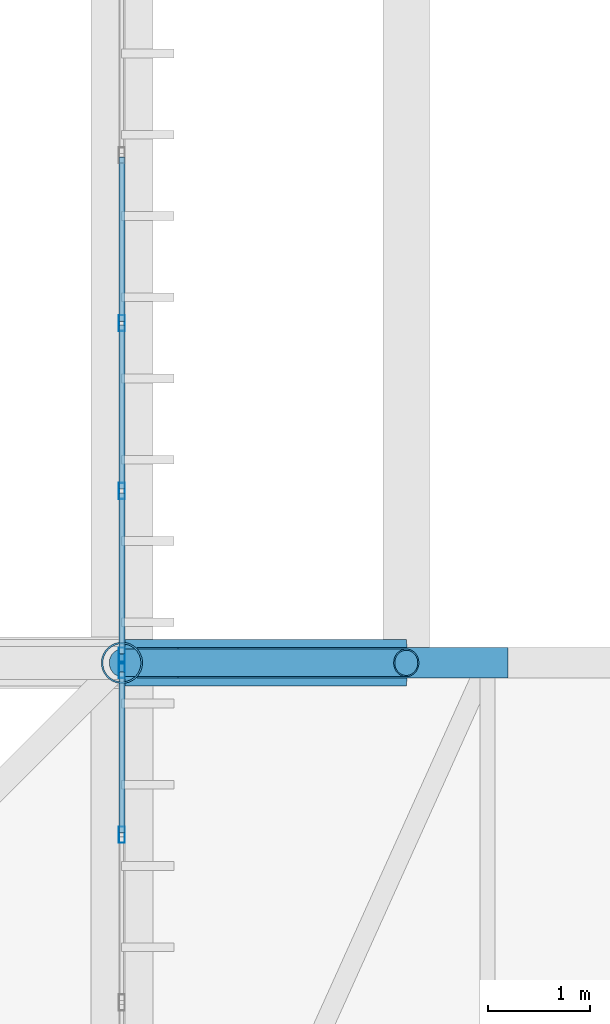
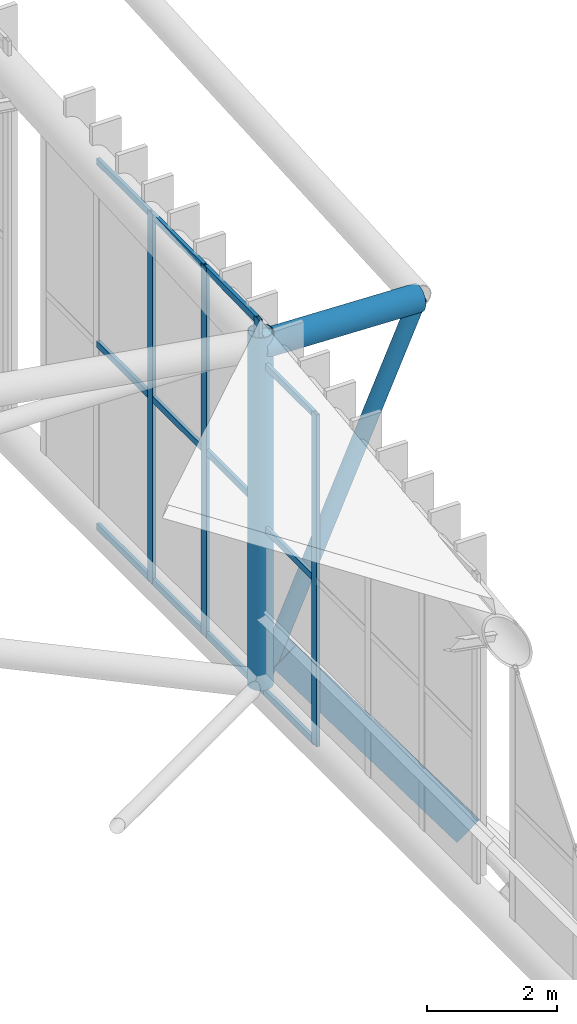
# One storey, part 155 of 397: 19 members, 2 beams, 2 elements without a shape of their own.
"""IFC4 building model written with IfcOpenShell, lengths in metres."""

import ifcopenshell
import ifcopenshell.guid

model = None  # the IFC model being written
_history = None  # IfcOwnerHistory: only IFC2X3 demands one
_inside = {}  # id of a spatial element -> (the spatial element, [elements in it])
_under = {}  # id of a project, library or spatial element -> (it, [spatial elements below it])
_declared = {}  # id of a project -> (the project, [libraries it declares])
_typed = {}  # id of a type object -> (the type object, [elements of that type])
_made_of = {}  # id of a material, layer set ... -> (it, [elements and type objects made of it])


def new_model(schema):
    """Start an empty IFC model of exactly this schema.

    Asked for "IFC4X3", IfcOpenShell would pick the latest addendum, in which some entities
    have other attributes; the version numbers below select the first issue.
    IFC2X3 requires an IfcOwnerHistory on every rooted entity: one is made here for all.
    """
    global model, _history
    if schema == "IFC4X3":
        model = ifcopenshell.file(schema_version=(4, 3, 0, 0))
    else:
        model = ifcopenshell.file(schema=schema)
    _inside.clear()
    _under.clear()
    _declared.clear()
    _typed.clear()
    _made_of.clear()
    _history = None
    if model.schema == "IFC2X3":
        org = make("IfcOrganization", Name="unknown")
        user = make(
            "IfcPersonAndOrganization",
            ThePerson=make("IfcPerson", FamilyName="unknown"),
            TheOrganization=org,
        )
        app = make(
            "IfcApplication",
            ApplicationDeveloper=org,
            Version="unknown",
            ApplicationFullName="unknown",
            ApplicationIdentifier="unknown",
        )
        _history = make(
            "IfcOwnerHistory",
            OwningUser=user,
            OwningApplication=app,
            ChangeAction="ADDED",
            CreationDate=0,
        )
    return model


def make(cls, **values):
    """One entity of the class cls with the attributes given. An attribute that is None is left unset."""
    return model.create_entity(
        cls, **{name: value for name, value in values.items() if value is not None}
    )


def rooted(cls, **values):
    """An entity with a GlobalId (a new one), such as an element, a storey or a relation."""
    return make(cls, GlobalId=ifcopenshell.guid.new(), OwnerHistory=_history, **values)


def si_unit(unit_type, name, prefix=None):
    """IfcSIUnit, for example si_unit("LENGTHUNIT", "METRE", prefix="MILLI")."""
    return make("IfcSIUnit", UnitType=unit_type, Prefix=prefix, Name=name)


def assignment(units):
    """IfcUnitAssignment: the units of a project."""
    return None if units is None else make("IfcUnitAssignment", Units=units)


def point(xyz):
    """IfcCartesianPoint."""
    return None if xyz is None else make("IfcCartesianPoint", Coordinates=xyz)


def direction(xyz):
    """IfcDirection."""
    return None if xyz is None else make("IfcDirection", DirectionRatios=xyz)


def frame(location, z_axis=None, x_axis=None):
    """IfcAxis2Placement3D, a coordinate frame: its origin and axes. An axis left out is left unset."""
    return make(
        "IfcAxis2Placement3D",
        Location=point(location),
        Axis=direction(z_axis),
        RefDirection=direction(x_axis),
    )


def frame_2d(location, x_axis=None):
    """IfcAxis2Placement2D, a coordinate frame in the plane: its origin and x axis."""
    return make(
        "IfcAxis2Placement2D", Location=point(location), RefDirection=direction(x_axis)
    )


def origin():
    """The frame at (0, 0, 0) with its axes left unset."""
    return frame((0.0, 0.0, 0.0))


def origin_2d():
    """The frame at (0, 0) in the plane with its x axis left unset."""
    return frame_2d((0.0, 0.0))


def place(relative_to, where):
    """IfcLocalPlacement: puts the frame where relative to a parent placement (None: the world)."""
    return make(
        "IfcLocalPlacement", PlacementRelTo=relative_to, RelativePlacement=where
    )


def context(
    kind, dimensions, precision=None, world=None, true_north=None, identifier=None
):
    """IfcGeometricRepresentationContext, for example the 3D "Model" context."""
    return make(
        "IfcGeometricRepresentationContext",
        ContextIdentifier=identifier,
        ContextType=kind,
        CoordinateSpaceDimension=dimensions,
        Precision=precision,
        WorldCoordinateSystem=world,
        TrueNorth=true_north,
    )


def subcontext(parent, identifier, kind, view, scale=None):
    """IfcGeometricRepresentationSubContext, for example "Body" below "Model"."""
    return make(
        "IfcGeometricRepresentationSubContext",
        ContextIdentifier=identifier,
        ContextType=kind,
        ParentContext=parent,
        TargetScale=scale,
        TargetView=view,
    )


def project(units=None, contexts=None):
    """IfcProject with its units and contexts."""
    return rooted(
        "IfcProject",
        Name="project",
        RepresentationContexts=contexts,
        UnitsInContext=assignment(units),
    )


def spatial(cls, under=None, at=None, **own):
    """A site, building, storey or space (cls), placed at a placement, below another one or the project."""
    s = rooted(cls, ObjectPlacement=at, **own)
    if under is not None:
        _under.setdefault(under.id(), (under, []))[1].append(s)
    return s


def profile(cls, at=None, kind="AREA", **sizes):
    """A parametric profile (cls). Its sizes go by their IFC names, for example OverallWidth=200.0."""
    return make(cls, ProfileType=kind, Position=at, **sizes)


def hollow_rectangle(**sizes):
    """IfcRectangleHollowProfileDef."""
    return profile("IfcRectangleHollowProfileDef", **sizes)


def hollow_circle(**sizes):
    """IfcCircleHollowProfileDef."""
    return profile("IfcCircleHollowProfileDef", **sizes)


def extrude(swept, where, along, depth):
    """IfcExtrudedAreaSolid: the profile swept, set in the frame where, extruded along a direction by depth."""
    return make(
        "IfcExtrudedAreaSolid",
        SweptArea=swept,
        Position=where,
        ExtrudedDirection=direction(along),
        Depth=depth,
    )


def shape(context_of_items, identifier, shape_type, items):
    """IfcShapeRepresentation: the items that make up one representation, for example the "Body"."""
    return make(
        "IfcShapeRepresentation",
        ContextOfItems=context_of_items,
        RepresentationIdentifier=identifier,
        RepresentationType=shape_type,
        Items=items,
    )


def material(Name=None, Category=None):
    """IfcMaterial."""
    return make("IfcMaterial", Name=Name, Category=Category)


def material_profile(
    of_material, cross_section, Name=None, Category=None, Priority=None
):
    """IfcMaterialProfile: a cross section and its material."""
    return make(
        "IfcMaterialProfile",
        Name=Name,
        Material=of_material,
        Profile=cross_section,
        Priority=Priority,
        Category=Category,
    )


def profile_set(profiles, Name=None, composite=None):
    """IfcMaterialProfileSet."""
    return make(
        "IfcMaterialProfileSet",
        Name=Name,
        MaterialProfiles=profiles,
        CompositeProfile=composite,
    )


def made_of(thing, what):
    """Note that an element or type object is made of a material, layer set ...; save() writes the relation."""
    if what is not None:
        _made_of.setdefault(what.id(), (what, []))[1].append(thing)
    return thing


def type_object(cls, material=None, **own):
    """A type object (cls), such as IfcWallType, which elements share."""
    return made_of(rooted(cls, **own), material)


def element(
    cls,
    number,
    at=None,
    inside=None,
    cuts=None,
    type_object=None,
    material=None,
    context=None,
    identifier="Body",
    shape_type=None,
    held_by="IfcProductDefinitionShape",
    body=None,
    shapes=None,
    **own,
):
    """One element of the class cls, such as IfcWall. Its Tag is "e" and its number.

    at: its placement. inside: the storey or other place that contains it. cuts: it is an
    opening in that element (IfcRelVoidsElement). A single representation is given by context,
    identifier, shape_type and body (its items); several are given by shapes. held_by: the class
    of the entity that holds the representations. save() writes the other relations.
    """
    e = rooted(cls, Tag="e%d" % number, ObjectPlacement=at, **own)
    if body is not None:
        shapes = [shape(context, identifier, shape_type, body)]
    if shapes is not None:
        e.Representation = make(held_by, Representations=shapes)
    if inside is not None:
        _inside.setdefault(inside.id(), (inside, []))[1].append(e)
    if cuts is not None:
        rooted(
            "IfcRelVoidsElement", RelatingBuildingElement=cuts, RelatedOpeningElement=e
        )
    if type_object is not None:
        _typed.setdefault(type_object.id(), (type_object, []))[1].append(e)
    return made_of(e, material)


def aggregate(whole, parts):
    """IfcRelAggregates: a whole, such as a stair, and the parts it consists of."""
    return rooted("IfcRelAggregates", RelatingObject=whole, RelatedObjects=parts)


def save(model, path):
    """Write the relations noted so far, then the file.

    IfcRelAggregates (storeys below a building ...), IfcRelContainedInSpatialStructure (elements
    in a storey), IfcRelDefinesByType, IfcRelAssociatesMaterial and IfcRelDeclares: one each for
    every whole, place, type object, material and project.
    """
    for whole, parts in _under.values():
        aggregate(whole, parts)
    for where, things in _inside.values():
        rooted(
            "IfcRelContainedInSpatialStructure",
            RelatedElements=things,
            RelatingStructure=where,
        )
    for kind, things in _typed.values():
        rooted("IfcRelDefinesByType", RelatedObjects=things, RelatingType=kind)
    for what, things in _made_of.values():
        rooted("IfcRelAssociatesMaterial", RelatedObjects=things, RelatingMaterial=what)
    for by, libraries in _declared.values():
        rooted("IfcRelDeclares", RelatingContext=by, RelatedDefinitions=libraries)
    model.write(path)


model = new_model("IFC4")

# Units and contexts
model_context = context("Model", 3, precision=1e-05, world=origin(), true_north=direction((0.0, 1.0)))
body_context = subcontext(model_context, "Body", "Model", "MODEL_VIEW")
ifc_project = project(units=[si_unit("LENGTHUNIT", "METRE"), si_unit("AREAUNIT", "SQUARE_METRE"), si_unit("VOLUMEUNIT", "CUBIC_METRE"), si_unit("PLANEANGLEUNIT", "RADIAN"), si_unit("MASSUNIT", "GRAM", prefix="KILO")], contexts=[model_context])

# Site, building, storey
site_placement = place(None, origin())
site = spatial("IfcSite", under=ifc_project, at=site_placement, CompositionType="ELEMENT")
building_placement = place(site_placement, origin())
building = spatial("IfcBuilding", under=site, at=building_placement, Name="Qandorah Velis Arena", CompositionType="ELEMENT")
storey_placement = place(building_placement, frame((0.0, 0.0, 27.5)))
storey = spatial("IfcBuildingStorey", under=building, at=storey_placement, Name="RF", CompositionType="ELEMENT", Elevation=27.5)

# Curtain wall, members
ifc_material_1 = material(Name="Solar-control low-E double glazing", Category="glass")
curtain_wall_type_1 = type_object("IfcCurtainWallType", Name="ARC-CW-SYS11", PredefinedType="USERDEFINED", material=ifc_material_1)
curtain_wall_1_placement = place(storey_placement, origin())
curtain_wall_1 = element("IfcCurtainWall", 1, at=curtain_wall_1_placement, inside=storey, type_object=curtain_wall_type_1, Name="Unitised curtain wall CROWN-2-03S1", ObjectType="UNITISED CURTAIN WALL", PredefinedType="USERDEFINED")
ifc_material_2 = material(Name="Champagne-bronze anodized aluminium 6063-T6", Category="aluminium")
ifc_material_profile_1 = material_profile(ifc_material_2, hollow_rectangle(XDim=0.06005859375, YDim=0.159912109375, WallThickness=0.00341796875, at=origin_2d()), Name="ALU MULLION 60x160")
ifc_profile_set_1 = profile_set([ifc_material_profile_1], Name="Champagne-bronze anodized aluminium 6063-T6")
member_type_1 = type_object("IfcMemberType", Name="ARC-CWM-160", PredefinedType="MULLION", material=ifc_profile_set_1)
member_1_placement = place(storey_placement, frame((115.199951171875, 41.507568359375, -0.014892578125), z_axis=(0.0, 0.0, 1.0), x_axis=(-1.0, 0.0, 0.0)))
member_1 = element("IfcMember", 2, at=member_1_placement, type_object=member_type_1, Name="CW11 mullion 4", PredefinedType="MULLION", context=body_context, shape_type="SweptSolid", body=[
    extrude(hollow_rectangle(XDim=0.06005859375, YDim=0.159912109375, WallThickness=0.00341796875, at=origin_2d()), origin(), (0.0, 0.0, 1.0), 6.22314453125),
])
member_2_placement = place(storey_placement, frame((115.199951171875, 43.1298828125, -0.014892578125), z_axis=(0.0, 0.0, 1.0), x_axis=(-1.0, 0.0, 0.0)))
member_2 = element("IfcMember", 3, at=member_2_placement, type_object=member_type_1, Name="CW11 mullion 5", PredefinedType="MULLION", context=body_context, shape_type="SweptSolid", body=[
    extrude(hollow_rectangle(XDim=0.06005859375, YDim=0.159912109375, WallThickness=0.00341796875, at=origin_2d()), origin(), (0.0, 0.0, 1.0), 6.22314453125),
])

curtain_wall_type_2 = type_object("IfcCurtainWallType", Name="ARC-CW-SYS12", PredefinedType="USERDEFINED", material=ifc_material_1)
curtain_wall_2_placement = place(storey_placement, origin())
curtain_wall_2 = element("IfcCurtainWall", 4, at=curtain_wall_2_placement, inside=storey, type_object=curtain_wall_type_2, Name="Unitised curtain wall CROWN-2-03S2", ObjectType="UNITISED CURTAIN WALL", PredefinedType="USERDEFINED")
member_3_placement = place(storey_placement, frame((115.199951171875, 43.27001953125, -0.014892578125), z_axis=(0.0, 0.0, 1.0), x_axis=(-1.0, 0.0, 0.0)))
member_3 = element("IfcMember", 5, at=member_3_placement, type_object=member_type_1, Name="CW12 mullion 1", PredefinedType="MULLION", context=body_context, shape_type="SweptSolid", body=[
    extrude(hollow_rectangle(XDim=0.06005859375, YDim=0.159912109375, WallThickness=0.00341796875, at=origin_2d()), origin(), (0.0, 0.0, 1.0), 6.931884765625),
])
member_4_placement = place(storey_placement, frame((115.199951171875, 44.892578125, -0.014892578125), z_axis=(0.0, 0.0, 1.0), x_axis=(-1.0, 0.0, 0.0)))
member_4 = element("IfcMember", 6, at=member_4_placement, type_object=member_type_1, Name="CW12 mullion 2", PredefinedType="MULLION", context=body_context, shape_type="SweptSolid", body=[
    extrude(hollow_rectangle(XDim=0.06005859375, YDim=0.159912109375, WallThickness=0.00341796875, at=origin_2d()), origin(), (0.0, 0.0, 1.0), 6.931884765625),
])
member_5_placement = place(storey_placement, frame((115.199951171875, 46.544921875, -0.014892578125), z_axis=(0.0, 0.0, 1.0), x_axis=(-1.0, 0.0, 0.0)))
member_5 = element("IfcMember", 7, at=member_5_placement, type_object=member_type_1, Name="CW12 mullion 3", PredefinedType="MULLION", context=body_context, shape_type="SweptSolid", body=[
    extrude(hollow_rectangle(XDim=0.06005859375, YDim=0.159912109375, WallThickness=0.00341796875, at=origin_2d()), origin(), (0.0, 0.0, 1.0), 6.931884765625),
])

# Member
ifc_material_profile_2 = material_profile(ifc_material_2, hollow_rectangle(XDim=0.06005859375, YDim=0.1201171875, WallThickness=0.0029296875, at=origin_2d()), Name="ALU TRANSOM 60x120")
ifc_profile_set_2 = profile_set([ifc_material_profile_2], Name="Champagne-bronze anodized aluminium 6063-T6")
member_type_2 = type_object("IfcMemberType", Name="ARC-CWT-120", PredefinedType="USERDEFINED", material=ifc_profile_set_2)
member_6_placement = place(storey_placement, frame((115.199951171875, 41.525390625, 0.030029296875), z_axis=(0.0, 1.0, 0.0), x_axis=(-1.0, 0.0, 0.0)))
member_6 = element("IfcMember", 8, at=member_6_placement, type_object=member_type_2, Name="CW11 transom 4.1", ObjectType="TRANSOM", PredefinedType="USERDEFINED", context=body_context, shape_type="SweptSolid", body=[
    extrude(hollow_rectangle(XDim=0.06005859375, YDim=0.1201171875, WallThickness=0.0029296875, at=origin_2d()), origin(), (0.0, 0.0, 1.0), 1.586669921875),
])

member_7_placement = place(storey_placement, frame((115.199951171875, 41.525390625, 3.0966796875), z_axis=(0.0, 1.0, 0.0), x_axis=(-1.0, 0.0, 0.0)))
member_7 = element("IfcMember", 9, at=member_7_placement, type_object=member_type_2, Name="CW11 transom 4.2", ObjectType="TRANSOM", PredefinedType="USERDEFINED", context=body_context, shape_type="SweptSolid", body=[
    extrude(hollow_rectangle(XDim=0.06005859375, YDim=0.1201171875, WallThickness=0.0029296875, at=origin_2d()), origin(), (0.0, 0.0, 1.0), 1.586669921875),
])

member_8_placement = place(storey_placement, frame((115.199951171875, 41.525390625, 6.163330078125), z_axis=(0.0, 1.0, 0.0), x_axis=(-1.0, 0.0, 0.0)))
member_8 = element("IfcMember", 10, at=member_8_placement, type_object=member_type_2, Name="CW11 transom 4.3", ObjectType="TRANSOM", PredefinedType="USERDEFINED", context=body_context, shape_type="SweptSolid", body=[
    extrude(hollow_rectangle(XDim=0.06005859375, YDim=0.1201171875, WallThickness=0.0029296875, at=origin_2d()), origin(), (0.0, 0.0, 1.0), 1.586669921875),
])

aggregate(curtain_wall_1, [member_1, member_2, member_6, member_7, member_8])

member_9_placement = place(storey_placement, frame((115.199951171875, 43.2880859375, 0.030029296875), z_axis=(0.0, 1.0, 0.0), x_axis=(-1.0, 0.0, 0.0)))
member_9 = element("IfcMember", 11, at=member_9_placement, type_object=member_type_2, Name="CW12 transom 1.1", ObjectType="TRANSOM", PredefinedType="USERDEFINED", context=body_context, shape_type="SweptSolid", body=[
    extrude(hollow_rectangle(XDim=0.06005859375, YDim=0.1201171875, WallThickness=0.0029296875, at=origin_2d()), origin(), (0.0, 0.0, 1.0), 1.58642578125),
])

member_10_placement = place(storey_placement, frame((115.199951171875, 43.2880859375, 3.450927734375), z_axis=(0.0, 1.0, 0.0), x_axis=(-1.0, 0.0, 0.0)))
member_10 = element("IfcMember", 12, at=member_10_placement, type_object=member_type_2, Name="CW12 transom 1.2", ObjectType="TRANSOM", PredefinedType="USERDEFINED", context=body_context, shape_type="SweptSolid", body=[
    extrude(hollow_rectangle(XDim=0.06005859375, YDim=0.1201171875, WallThickness=0.0029296875, at=origin_2d()), origin(), (0.0, 0.0, 1.0), 1.58642578125),
])

member_11_placement = place(storey_placement, frame((115.199951171875, 43.2880859375, 6.871826171875), z_axis=(0.0, 1.0, 0.0), x_axis=(-1.0, 0.0, 0.0)))
member_11 = element("IfcMember", 13, at=member_11_placement, type_object=member_type_2, Name="CW12 transom 1.3", ObjectType="TRANSOM", PredefinedType="USERDEFINED", context=body_context, shape_type="SweptSolid", body=[
    extrude(hollow_rectangle(XDim=0.06005859375, YDim=0.1201171875, WallThickness=0.0029296875, at=origin_2d()), origin(), (0.0, 0.0, 1.0), 1.58642578125),
])

member_12_placement = place(storey_placement, frame((115.199951171875, 44.910400390625, 0.030029296875), z_axis=(0.0, 1.0, 0.0), x_axis=(-1.0, 0.0, 0.0)))
member_12 = element("IfcMember", 14, at=member_12_placement, type_object=member_type_2, Name="CW12 transom 2.1", ObjectType="TRANSOM", PredefinedType="USERDEFINED", context=body_context, shape_type="SweptSolid", body=[
    extrude(hollow_rectangle(XDim=0.06005859375, YDim=0.1201171875, WallThickness=0.0029296875, at=origin_2d()), origin(), (0.0, 0.0, 1.0), 1.61669921875),
])

member_13_placement = place(storey_placement, frame((115.199951171875, 44.910400390625, 3.450927734375), z_axis=(0.0, 1.0, 0.0), x_axis=(-1.0, 0.0, 0.0)))
member_13 = element("IfcMember", 15, at=member_13_placement, type_object=member_type_2, Name="CW12 transom 2.2", ObjectType="TRANSOM", PredefinedType="USERDEFINED", context=body_context, shape_type="SweptSolid", body=[
    extrude(hollow_rectangle(XDim=0.06005859375, YDim=0.1201171875, WallThickness=0.0029296875, at=origin_2d()), origin(), (0.0, 0.0, 1.0), 1.61669921875),
])

member_14_placement = place(storey_placement, frame((115.199951171875, 44.910400390625, 6.871826171875), z_axis=(0.0, 1.0, 0.0), x_axis=(-1.0, 0.0, 0.0)))
member_14 = element("IfcMember", 16, at=member_14_placement, type_object=member_type_2, Name="CW12 transom 2.3", ObjectType="TRANSOM", PredefinedType="USERDEFINED", context=body_context, shape_type="SweptSolid", body=[
    extrude(hollow_rectangle(XDim=0.06005859375, YDim=0.1201171875, WallThickness=0.0029296875, at=origin_2d()), origin(), (0.0, 0.0, 1.0), 1.61669921875),
])

member_15_placement = place(storey_placement, frame((115.199951171875, 46.56298828125, 0.030029296875), z_axis=(0.0, 1.0, 0.0), x_axis=(-1.0, 0.0, 0.0)))
member_15 = element("IfcMember", 17, at=member_15_placement, type_object=member_type_2, Name="CW12 transom 3.1", ObjectType="TRANSOM", PredefinedType="USERDEFINED", context=body_context, shape_type="SweptSolid", body=[
    extrude(hollow_rectangle(XDim=0.06005859375, YDim=0.1201171875, WallThickness=0.0029296875, at=origin_2d()), origin(), (0.0, 0.0, 1.0), 1.616455078125),
])

member_16_placement = place(storey_placement, frame((115.199951171875, 46.56298828125, 3.450927734375), z_axis=(0.0, 1.0, 0.0), x_axis=(-1.0, 0.0, 0.0)))
member_16 = element("IfcMember", 18, at=member_16_placement, type_object=member_type_2, Name="CW12 transom 3.2", ObjectType="TRANSOM", PredefinedType="USERDEFINED", context=body_context, shape_type="SweptSolid", body=[
    extrude(hollow_rectangle(XDim=0.06005859375, YDim=0.1201171875, WallThickness=0.0029296875, at=origin_2d()), origin(), (0.0, 0.0, 1.0), 1.616455078125),
])

member_17_placement = place(storey_placement, frame((115.199951171875, 46.56298828125, 6.871826171875), z_axis=(0.0, 1.0, 0.0), x_axis=(-1.0, 0.0, 0.0)))
member_17 = element("IfcMember", 19, at=member_17_placement, type_object=member_type_2, Name="CW12 transom 3.3", ObjectType="TRANSOM", PredefinedType="USERDEFINED", context=body_context, shape_type="SweptSolid", body=[
    extrude(hollow_rectangle(XDim=0.06005859375, YDim=0.1201171875, WallThickness=0.0029296875, at=origin_2d()), origin(), (0.0, 0.0, 1.0), 1.616455078125),
])

aggregate(curtain_wall_2, [member_3, member_4, member_5, member_9, member_10, member_11, member_12, member_13, member_14, member_15, member_16, member_17])

# Beams
ifc_material_3 = material(Name="Steel S355", Category="steel")
ifc_material_profile_3 = material_profile(ifc_material_3, hollow_rectangle(XDim=0.300048828125, YDim=0.5, WallThickness=0.02001953125, at=origin_2d()), Name="RHS 500x300x20")
ifc_profile_set_3 = profile_set([ifc_material_profile_3], Name="Steel S355")
beam_type_1 = type_object("IfcBeamType", Name="STR-CRB-RHS500", PredefinedType="USERDEFINED", material=ifc_profile_set_3)
beam_1_placement = place(storey_placement, frame((115.550048828125, 43.199951171875, 0.562744140625), z_axis=(0.593780108207, 0.0, -0.804627356667), x_axis=(0.0, 1.0, 0.0)))
element("IfcBeam", 20, at=beam_1_placement, inside=storey, type_object=beam_type_1, Name="Sweeping canopy rib CRB-5.01", ObjectType="ROOF TRUSS", PredefinedType="USERDEFINED", context=body_context, shape_type="SweptSolid", body=[
    extrude(hollow_rectangle(XDim=0.300048828125, YDim=0.5, WallThickness=0.02001953125, at=origin_2d()), origin(), (0.0, 0.0, 1.0), 5.473388671875),
])
ifc_material_profile_4 = material_profile(ifc_material_3, hollow_circle(Radius=0.228515625, WallThickness=0.01611328125, at=origin_2d()), Name="CHS 457x16")
ifc_profile_set_4 = profile_set([ifc_material_profile_4], Name="Steel S355")
beam_type_2 = type_object("IfcBeamType", Name="STR-SFC-CHS457X16", PredefinedType="USERDEFINED", material=ifc_profile_set_4)
beam_2_placement = place(storey_placement, frame((115.199951171875, 43.199951171875, 6.448486328125), z_axis=(0.99936163275, 0.0, -0.035725718844), x_axis=(0.0, 1.0, 0.0)))
element("IfcBeam", 21, at=beam_2_placement, inside=storey, type_object=beam_type_2, Name="Space frame eave outrigger E-2", ObjectType="ROOF TRUSS", PredefinedType="USERDEFINED", context=body_context, shape_type="SweptSolid", body=[
    extrude(hollow_circle(Radius=0.228515625, WallThickness=0.01611328125, at=origin_2d()), origin(), (0.0, 0.0, 1.0), 2.8017578125),
])

# Members
ifc_material_profile_5 = material_profile(ifc_material_3, hollow_circle(Radius=0.136474609375, WallThickness=0.012451171875, at=origin_2d()), Name="CHS 273x12.5")
ifc_profile_set_5 = profile_set([ifc_material_profile_5], Name="Steel S355")
member_type_3 = type_object("IfcMemberType", Name="STR-SFD-CHS273X12", PredefinedType="STRUT", material=ifc_profile_set_5)
member_18_placement = place(storey_placement, frame((115.199951171875, 43.199951171875, 0.10009765625), z_axis=(0.408945330384, 0.0, 0.912558883994), x_axis=(0.0, 1.0, 0.0)))
element("IfcMember", 22, at=member_18_placement, inside=storey, type_object=member_type_3, Name="Space frame eave raking strut E-2", PredefinedType="STRUT", context=body_context, shape_type="SweptSolid", body=[
    extrude(hollow_circle(Radius=0.136474609375, WallThickness=0.012451171875, at=origin_2d()), origin(), (0.0, 0.0, 1.0), 6.846923828125),
])
ifc_material_profile_6 = material_profile(ifc_material_3, hollow_circle(Radius=0.203125, WallThickness=0.01611328125, at=origin_2d()), Name="CHS 406.4x16")
ifc_profile_set_6 = profile_set([ifc_material_profile_6], Name="Steel S355")
member_type_4 = type_object("IfcMemberType", Name="STR-SFD-CHS406X16", PredefinedType="STRUT", material=ifc_profile_set_6)
member_19_placement = place(storey_placement, frame((115.199951171875, 43.199951171875, 0.10009765625), z_axis=(0.0, 0.0, 1.0), x_axis=(1.0, 0.0, 0.0)))
element("IfcMember", 23, at=member_19_placement, inside=storey, type_object=member_type_4, Name="Space frame roof vertical post 7.2", PredefinedType="STRUT", context=body_context, shape_type="SweptSolid", body=[
    extrude(hollow_circle(Radius=0.203125, WallThickness=0.01611328125, at=origin_2d()), origin(), (0.0, 0.0, 1.0), 6.6083984375),
])

save(model, "model.ifc")
